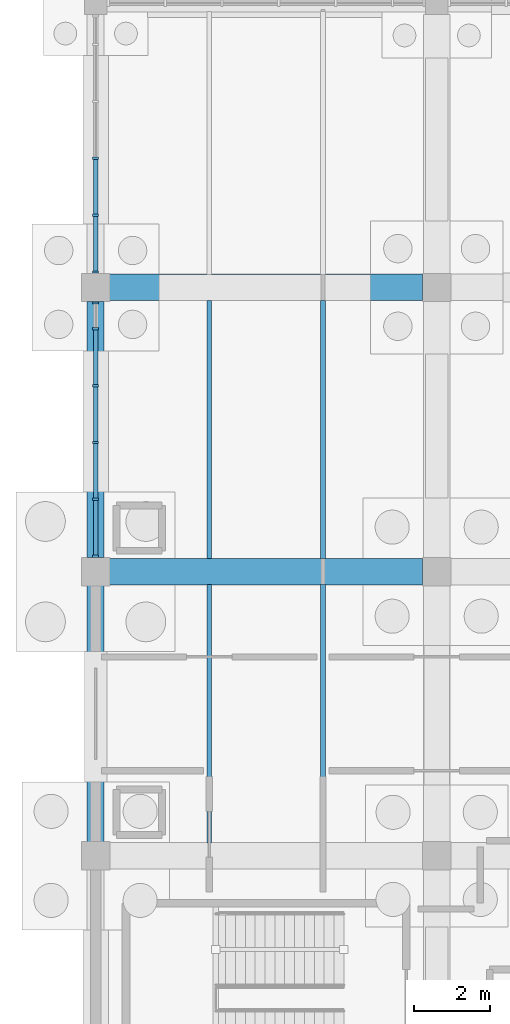
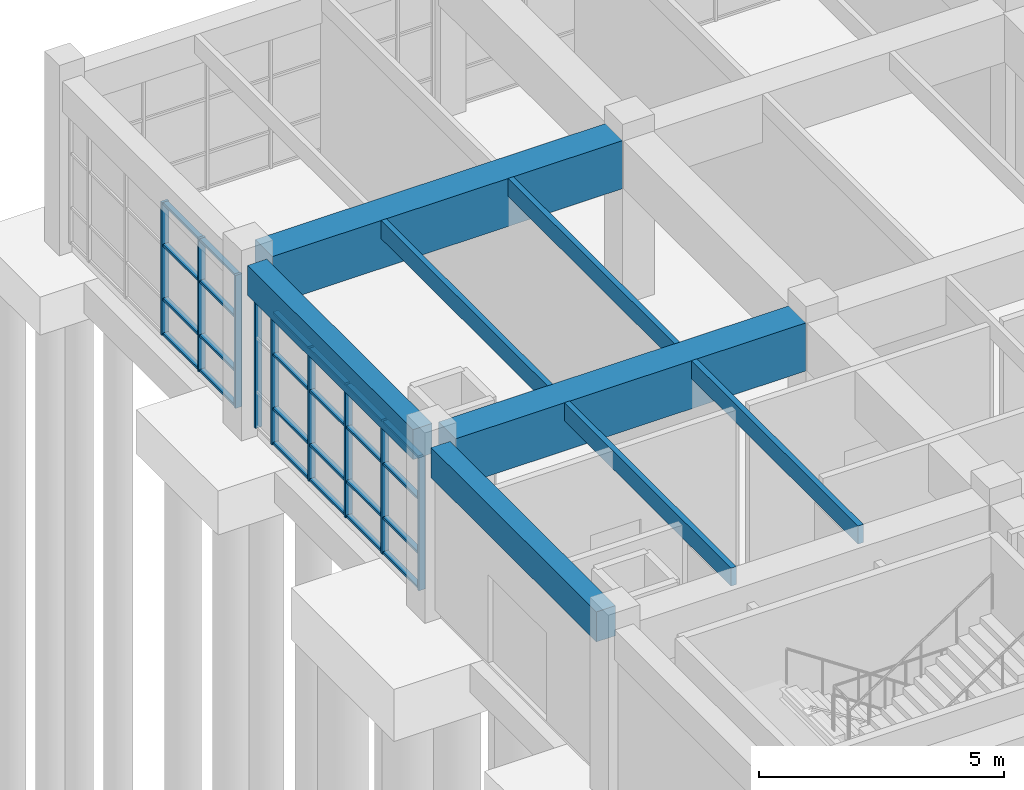
# One storey, part 30 of 93: 33 members, 8 beams, 2 elements without a shape of their own.
"""IFC4 building model written with IfcOpenShell, lengths in metres."""

from ifc_helpers import new_model, si_unit, direction, frame, origin, origin_2d, place, context, subcontext, project, spatial, rectangle, extrude, material, layer, layer_set, material_profile, profile_set, type_object, element, aggregate, save


model = new_model("IFC4")

# Units and contexts
model_context = context("Model", 3, precision=1e-05, world=origin(), true_north=direction((0.0, 1.0)))
body_context = subcontext(model_context, "Body", "Model", "MODEL_VIEW")
ifc_project = project(units=[si_unit("LENGTHUNIT", "METRE"), si_unit("AREAUNIT", "SQUARE_METRE"), si_unit("VOLUMEUNIT", "CUBIC_METRE"), si_unit("PLANEANGLEUNIT", "RADIAN"), si_unit("MASSUNIT", "GRAM", prefix="KILO")], contexts=[model_context])

# Site, building, storey
site_placement = place(None, origin())
site = spatial("IfcSite", under=ifc_project, at=site_placement, CompositionType="ELEMENT")
building_placement = place(site_placement, origin())
building = spatial("IfcBuilding", under=site, at=building_placement, Name="Marnridge Secondary College", CompositionType="ELEMENT")
storey_placement = place(building_placement, origin())
storey = spatial("IfcBuildingStorey", under=building, at=storey_placement, Name="L00", CompositionType="ELEMENT", Elevation=0.0)

# Beams
ifc_material_1 = material(Name="Engineered timber LVL E13.2", Category="wood")
ifc_material_profile_1 = material_profile(ifc_material_1, rectangle(XDim=0.1259765625, YDim=0.449951171875, at=origin_2d()), Name="LVL 126x450")
ifc_profile_set_1 = profile_set([ifc_material_profile_1], Name="Engineered timber LVL E13.2")
beam_type_1 = type_object("IfcBeamType", Name="BM-LVL450-INT", PredefinedType="JOIST", material=ifc_profile_set_1)
for number, where, z_axis, x_axis, name in (
    (1, (57.0, 60.343994140625, 3.85498046875), (0.0, 1.0, 0.0), (-1.0, 0.0, 0.0), "Beam BJ-L00-0097"),
    (2, (60.0, 60.343994140625, 3.85498046875), (0.0, 1.0, 0.0), (-1.0, 0.0, 0.0), "Beam BJ-L00-0098"),
    (3, (57.0, 67.843994140625, 3.85498046875), (0.0, 1.0, 0.0), (-1.0, 0.0, 0.0), "Beam BJ-L00-0099"),
    (4, (60.0, 67.843994140625, 3.85498046875), (0.0, 1.0, 0.0), (-1.0, 0.0, 0.0), "Beam BJ-L00-0100"),
):
    element("IfcBeam", number, at=place(storey_placement, frame(where, z_axis=z_axis, x_axis=x_axis)), inside=storey, type_object=beam_type_1, Name=name, PredefinedType="JOIST", context=body_context, shape_type="SweptSolid", body=[
        extrude(rectangle(XDim=0.1259765625, YDim=0.449951171875, at=origin_2d()), origin(), (0.0, 0.0, 1.0), 6.81201171875),
    ])
ifc_material_2 = material(Name="Concrete C40/50 (AS 3600 N40, 40 MPa)", Category="concrete")
ifc_material_profile_2 = material_profile(ifc_material_2, rectangle(XDim=0.449951171875, YDim=0.75, at=origin_2d()), Name="RC 450x750")
ifc_profile_set_2 = profile_set([ifc_material_profile_2], Name="Concrete C40/50 (AS 3600 N40, 40 MPa)")
beam_type_2 = type_object("IfcBeamType", Name="BM-RC4575-EXT", PredefinedType="SPANDREL", material=ifc_profile_set_2)
for number, where, z_axis, x_axis, name in (
    (5, (54.0, 60.368896484375, 3.705078125), (0.0, 1.0, 0.0), (-1.0, 0.0, 0.0), "Beam BS-L00-0046"),
    (6, (54.0, 67.868896484375, 3.705078125), (0.0, 1.0, 0.0), (-1.0, 0.0, 0.0), "Beam BS-L00-0049"),
):
    element("IfcBeam", number, at=place(storey_placement, frame(where, z_axis=z_axis, x_axis=x_axis)), inside=storey, type_object=beam_type_2, Name=name, PredefinedType="SPANDREL", context=body_context, shape_type="SweptSolid", body=[
        extrude(rectangle(XDim=0.449951171875, YDim=0.75, at=origin_2d()), origin(), (0.0, 0.0, 1.0), 6.76220703125),
    ])
ifc_material_3 = material(Name="Concrete C50/60 (AS 3600 N50, 50 MPa)", Category="concrete")
ifc_material_profile_3 = material_profile(ifc_material_3, rectangle(XDim=0.699951171875, YDim=1.199951171875, at=origin_2d()), Name="RC 700x1200")
ifc_profile_set_3 = profile_set([ifc_material_profile_3], Name="Concrete C50/60 (AS 3600 N50, 50 MPa)")
beam_type_3 = type_object("IfcBeamType", Name="BM-RC7012-INT", PredefinedType="BEAM", material=ifc_profile_set_3)
for number, where, z_axis, x_axis, name in (
    (7, (54.368896484375, 67.5, 3.47998046875), (1.0, 0.0, 0.0), (0.0, 1.0, 0.0), "Beam B-L00-0045"),
    (8, (54.368896484375, 75.0, 3.47998046875), (1.0, 0.0, 0.0), (0.0, 1.0, 0.0), "Beam B-L00-0048"),
):
    element("IfcBeam", number, at=place(storey_placement, frame(where, z_axis=z_axis, x_axis=x_axis)), inside=storey, type_object=beam_type_3, Name=name, PredefinedType="BEAM", context=body_context, shape_type="SweptSolid", body=[
        extrude(rectangle(XDim=0.699951171875, YDim=1.199951171875, at=origin_2d()), origin(), (0.0, 0.0, 1.0), 8.26220703125),
    ])

# Curtain wall, members
ifc_material_4 = material(Name="Thermally broken aluminium and low-E glazing", Category="aluminium")
ifc_layer = layer(ifc_material_4, 0.159912109375)
ifc_layer_set = layer_set([ifc_layer], Name="CW-MOD-1500")
curtain_wall_type = type_object("IfcCurtainWallType", Name="CW-MOD-1500", PredefinedType="NOTDEFINED", material=ifc_layer_set)
curtain_wall_1_placement = place(storey_placement, origin())
curtain_wall_1 = element("IfcCurtainWall", 9, at=curtain_wall_1_placement, inside=storey, type_object=curtain_wall_type, Name="Unitised curtain wall CW-L00-007", PredefinedType="NOTDEFINED")
ifc_material_5 = material(Name="Anodised aluminium 6063-T6", Category="aluminium")
ifc_material_profile_4 = material_profile(ifc_material_5, rectangle(XDim=0.06005859375, YDim=0.159912109375, at=origin_2d()), Name="ALU 60x160")
ifc_profile_set_4 = profile_set([ifc_material_profile_4], Name="Anodised aluminium 6063-T6")
member_type_1 = type_object("IfcMemberType", Name="CWM-ALU160", PredefinedType="MULLION", material=ifc_profile_set_4)
member_1_placement = place(storey_placement, frame((54.0, 67.908935546875, 0.0), z_axis=(0.0, 0.0, 1.0), x_axis=(0.0, 1.0, 0.0)))
member_1 = element("IfcMember", 10, at=member_1_placement, type_object=member_type_1, Name="CW-L00-007 mullion 1", PredefinedType="MULLION", context=body_context, shape_type="SweptSolid", body=[
    extrude(rectangle(XDim=0.06005859375, YDim=0.159912109375, at=origin_2d()), origin(), (0.0, 0.0, 1.0), 3.322021484375),
])
member_2_placement = place(storey_placement, frame((54.0, 69.408935546875, 0.0), z_axis=(0.0, 0.0, 1.0), x_axis=(0.0, 1.0, 0.0)))
member_2 = element("IfcMember", 11, at=member_2_placement, type_object=member_type_1, Name="CW-L00-007 mullion 2", PredefinedType="MULLION", context=body_context, shape_type="SweptSolid", body=[
    extrude(rectangle(XDim=0.06005859375, YDim=0.159912109375, at=origin_2d()), origin(), (0.0, 0.0, 1.0), 3.322021484375),
])
member_3_placement = place(storey_placement, frame((54.0, 70.908935546875, 0.0), z_axis=(0.0, 0.0, 1.0), x_axis=(0.0, 1.0, 0.0)))
member_3 = element("IfcMember", 12, at=member_3_placement, type_object=member_type_1, Name="CW-L00-007 mullion 3", PredefinedType="MULLION", context=body_context, shape_type="SweptSolid", body=[
    extrude(rectangle(XDim=0.06005859375, YDim=0.159912109375, at=origin_2d()), origin(), (0.0, 0.0, 1.0), 3.322021484375),
])
member_4_placement = place(storey_placement, frame((54.0, 72.408935546875, 0.0), z_axis=(0.0, 0.0, 1.0), x_axis=(0.0, 1.0, 0.0)))
member_4 = element("IfcMember", 13, at=member_4_placement, type_object=member_type_1, Name="CW-L00-007 mullion 4", PredefinedType="MULLION", context=body_context, shape_type="SweptSolid", body=[
    extrude(rectangle(XDim=0.06005859375, YDim=0.159912109375, at=origin_2d()), origin(), (0.0, 0.0, 1.0), 3.322021484375),
])
member_5_placement = place(storey_placement, frame((54.0, 73.908935546875, 0.0), z_axis=(0.0, 0.0, 1.0), x_axis=(0.0, 1.0, 0.0)))
member_5 = element("IfcMember", 14, at=member_5_placement, type_object=member_type_1, Name="CW-L00-007 mullion 5", PredefinedType="MULLION", context=body_context, shape_type="SweptSolid", body=[
    extrude(rectangle(XDim=0.06005859375, YDim=0.159912109375, at=origin_2d()), origin(), (0.0, 0.0, 1.0), 3.322021484375),
])
member_6_placement = place(storey_placement, frame((54.0, 74.591064453125, 0.0), z_axis=(0.0, 0.0, 1.0), x_axis=(0.0, 1.0, 0.0)))
member_6 = element("IfcMember", 15, at=member_6_placement, type_object=member_type_1, Name="CW-L00-007 mullion 6", PredefinedType="MULLION", context=body_context, shape_type="SweptSolid", body=[
    extrude(rectangle(XDim=0.06005859375, YDim=0.159912109375, at=origin_2d()), origin(), (0.0, 0.0, 1.0), 3.322021484375),
])

curtain_wall_2_placement = place(storey_placement, origin())
curtain_wall_2 = element("IfcCurtainWall", 16, at=curtain_wall_2_placement, inside=storey, type_object=curtain_wall_type, Name="Unitised curtain wall CW-L00-008", PredefinedType="NOTDEFINED")
member_7_placement = place(storey_placement, frame((54.0, 75.408935546875, 0.0), z_axis=(0.0, 0.0, 1.0), x_axis=(0.0, 1.0, 0.0)))
member_7 = element("IfcMember", 17, at=member_7_placement, type_object=member_type_1, Name="CW-L00-008 mullion 1", PredefinedType="MULLION", context=body_context, shape_type="SweptSolid", body=[
    extrude(rectangle(XDim=0.06005859375, YDim=0.159912109375, at=origin_2d()), origin(), (0.0, 0.0, 1.0), 3.322021484375),
])
member_8_placement = place(storey_placement, frame((54.0, 76.908935546875, 0.0), z_axis=(0.0, 0.0, 1.0), x_axis=(0.0, 1.0, 0.0)))
member_8 = element("IfcMember", 18, at=member_8_placement, type_object=member_type_1, Name="CW-L00-008 mullion 2", PredefinedType="MULLION", context=body_context, shape_type="SweptSolid", body=[
    extrude(rectangle(XDim=0.06005859375, YDim=0.159912109375, at=origin_2d()), origin(), (0.0, 0.0, 1.0), 3.322021484375),
])
member_9_placement = place(storey_placement, frame((54.0, 78.408935546875, 0.0), z_axis=(0.0, 0.0, 1.0), x_axis=(0.0, 1.0, 0.0)))
member_9 = element("IfcMember", 19, at=member_9_placement, type_object=member_type_1, Name="CW-L00-008 mullion 3", PredefinedType="MULLION", context=body_context, shape_type="SweptSolid", body=[
    extrude(rectangle(XDim=0.06005859375, YDim=0.159912109375, at=origin_2d()), origin(), (0.0, 0.0, 1.0), 3.322021484375),
])

# Member
ifc_material_6 = material(Name="Anodised aluminium 6063-T6", Category="aluminium")
ifc_material_profile_5 = material_profile(ifc_material_6, rectangle(XDim=0.06005859375, YDim=0.1201171875, at=origin_2d()), Name="ALU 60x120")
ifc_profile_set_5 = profile_set([ifc_material_profile_5], Name="Anodised aluminium 6063-T6")
member_type_2 = type_object("IfcMemberType", Name="CWT-ALU120", PredefinedType="USERDEFINED", material=ifc_profile_set_5)
member_10_placement = place(storey_placement, frame((54.0, 67.93896484375, 0.030029296875), z_axis=(0.0, 1.0, 0.0), x_axis=(0.0, 0.0, 1.0)))
member_10 = element("IfcMember", 20, at=member_10_placement, type_object=member_type_2, Name="CW-L00-007 transom 1.1", ObjectType="TRANSOM", PredefinedType="USERDEFINED", context=body_context, shape_type="SweptSolid", body=[
    extrude(rectangle(XDim=0.06005859375, YDim=0.1201171875, at=origin_2d()), origin(), (0.0, 0.0, 1.0), 1.43994140625),
])

member_11_placement = place(storey_placement, frame((54.0, 67.93896484375, 0.89990234375), z_axis=(0.0, 1.0, 0.0), x_axis=(0.0, 0.0, 1.0)))
member_11 = element("IfcMember", 21, at=member_11_placement, type_object=member_type_2, Name="CW-L00-007 transom 1.2", ObjectType="TRANSOM", PredefinedType="USERDEFINED", context=body_context, shape_type="SweptSolid", body=[
    extrude(rectangle(XDim=0.06005859375, YDim=0.1201171875, at=origin_2d()), origin(), (0.0, 0.0, 1.0), 1.43994140625),
])

member_12_placement = place(storey_placement, frame((54.0, 67.93896484375, 2.25), z_axis=(0.0, 1.0, 0.0), x_axis=(0.0, 0.0, 1.0)))
member_12 = element("IfcMember", 22, at=member_12_placement, type_object=member_type_2, Name="CW-L00-007 transom 1.3", ObjectType="TRANSOM", PredefinedType="USERDEFINED", context=body_context, shape_type="SweptSolid", body=[
    extrude(rectangle(XDim=0.06005859375, YDim=0.1201171875, at=origin_2d()), origin(), (0.0, 0.0, 1.0), 1.43994140625),
])

member_13_placement = place(storey_placement, frame((54.0, 67.93896484375, 3.2919921875), z_axis=(0.0, 1.0, 0.0), x_axis=(0.0, 0.0, 1.0)))
member_13 = element("IfcMember", 23, at=member_13_placement, type_object=member_type_2, Name="CW-L00-007 transom 1.4", ObjectType="TRANSOM", PredefinedType="USERDEFINED", context=body_context, shape_type="SweptSolid", body=[
    extrude(rectangle(XDim=0.06005859375, YDim=0.1201171875, at=origin_2d()), origin(), (0.0, 0.0, 1.0), 1.43994140625),
])

member_14_placement = place(storey_placement, frame((54.0, 69.43896484375, 0.030029296875), z_axis=(0.0, 1.0, 0.0), x_axis=(0.0, 0.0, 1.0)))
member_14 = element("IfcMember", 24, at=member_14_placement, type_object=member_type_2, Name="CW-L00-007 transom 2.1", ObjectType="TRANSOM", PredefinedType="USERDEFINED", context=body_context, shape_type="SweptSolid", body=[
    extrude(rectangle(XDim=0.06005859375, YDim=0.1201171875, at=origin_2d()), origin(), (0.0, 0.0, 1.0), 1.43994140625),
])

member_15_placement = place(storey_placement, frame((54.0, 69.43896484375, 0.89990234375), z_axis=(0.0, 1.0, 0.0), x_axis=(0.0, 0.0, 1.0)))
member_15 = element("IfcMember", 25, at=member_15_placement, type_object=member_type_2, Name="CW-L00-007 transom 2.2", ObjectType="TRANSOM", PredefinedType="USERDEFINED", context=body_context, shape_type="SweptSolid", body=[
    extrude(rectangle(XDim=0.06005859375, YDim=0.1201171875, at=origin_2d()), origin(), (0.0, 0.0, 1.0), 1.43994140625),
])

member_16_placement = place(storey_placement, frame((54.0, 69.43896484375, 2.25), z_axis=(0.0, 1.0, 0.0), x_axis=(0.0, 0.0, 1.0)))
member_16 = element("IfcMember", 26, at=member_16_placement, type_object=member_type_2, Name="CW-L00-007 transom 2.3", ObjectType="TRANSOM", PredefinedType="USERDEFINED", context=body_context, shape_type="SweptSolid", body=[
    extrude(rectangle(XDim=0.06005859375, YDim=0.1201171875, at=origin_2d()), origin(), (0.0, 0.0, 1.0), 1.43994140625),
])

member_17_placement = place(storey_placement, frame((54.0, 69.43896484375, 3.2919921875), z_axis=(0.0, 1.0, 0.0), x_axis=(0.0, 0.0, 1.0)))
member_17 = element("IfcMember", 27, at=member_17_placement, type_object=member_type_2, Name="CW-L00-007 transom 2.4", ObjectType="TRANSOM", PredefinedType="USERDEFINED", context=body_context, shape_type="SweptSolid", body=[
    extrude(rectangle(XDim=0.06005859375, YDim=0.1201171875, at=origin_2d()), origin(), (0.0, 0.0, 1.0), 1.43994140625),
])

member_18_placement = place(storey_placement, frame((54.0, 70.93896484375, 0.030029296875), z_axis=(0.0, 1.0, 0.0), x_axis=(0.0, 0.0, 1.0)))
member_18 = element("IfcMember", 28, at=member_18_placement, type_object=member_type_2, Name="CW-L00-007 transom 3.1", ObjectType="TRANSOM", PredefinedType="USERDEFINED", context=body_context, shape_type="SweptSolid", body=[
    extrude(rectangle(XDim=0.06005859375, YDim=0.1201171875, at=origin_2d()), origin(), (0.0, 0.0, 1.0), 1.43994140625),
])

member_19_placement = place(storey_placement, frame((54.0, 70.93896484375, 0.89990234375), z_axis=(0.0, 1.0, 0.0), x_axis=(0.0, 0.0, 1.0)))
member_19 = element("IfcMember", 29, at=member_19_placement, type_object=member_type_2, Name="CW-L00-007 transom 3.2", ObjectType="TRANSOM", PredefinedType="USERDEFINED", context=body_context, shape_type="SweptSolid", body=[
    extrude(rectangle(XDim=0.06005859375, YDim=0.1201171875, at=origin_2d()), origin(), (0.0, 0.0, 1.0), 1.43994140625),
])

member_20_placement = place(storey_placement, frame((54.0, 70.93896484375, 2.25), z_axis=(0.0, 1.0, 0.0), x_axis=(0.0, 0.0, 1.0)))
member_20 = element("IfcMember", 30, at=member_20_placement, type_object=member_type_2, Name="CW-L00-007 transom 3.3", ObjectType="TRANSOM", PredefinedType="USERDEFINED", context=body_context, shape_type="SweptSolid", body=[
    extrude(rectangle(XDim=0.06005859375, YDim=0.1201171875, at=origin_2d()), origin(), (0.0, 0.0, 1.0), 1.43994140625),
])

member_21_placement = place(storey_placement, frame((54.0, 70.93896484375, 3.2919921875), z_axis=(0.0, 1.0, 0.0), x_axis=(0.0, 0.0, 1.0)))
member_21 = element("IfcMember", 31, at=member_21_placement, type_object=member_type_2, Name="CW-L00-007 transom 3.4", ObjectType="TRANSOM", PredefinedType="USERDEFINED", context=body_context, shape_type="SweptSolid", body=[
    extrude(rectangle(XDim=0.06005859375, YDim=0.1201171875, at=origin_2d()), origin(), (0.0, 0.0, 1.0), 1.43994140625),
])

member_22_placement = place(storey_placement, frame((54.0, 72.43896484375, 0.030029296875), z_axis=(0.0, 1.0, 0.0), x_axis=(0.0, 0.0, 1.0)))
member_22 = element("IfcMember", 32, at=member_22_placement, type_object=member_type_2, Name="CW-L00-007 transom 4.1", ObjectType="TRANSOM", PredefinedType="USERDEFINED", context=body_context, shape_type="SweptSolid", body=[
    extrude(rectangle(XDim=0.06005859375, YDim=0.1201171875, at=origin_2d()), origin(), (0.0, 0.0, 1.0), 1.43994140625),
])

member_23_placement = place(storey_placement, frame((54.0, 72.43896484375, 0.89990234375), z_axis=(0.0, 1.0, 0.0), x_axis=(0.0, 0.0, 1.0)))
member_23 = element("IfcMember", 33, at=member_23_placement, type_object=member_type_2, Name="CW-L00-007 transom 4.2", ObjectType="TRANSOM", PredefinedType="USERDEFINED", context=body_context, shape_type="SweptSolid", body=[
    extrude(rectangle(XDim=0.06005859375, YDim=0.1201171875, at=origin_2d()), origin(), (0.0, 0.0, 1.0), 1.43994140625),
])

member_24_placement = place(storey_placement, frame((54.0, 72.43896484375, 2.25), z_axis=(0.0, 1.0, 0.0), x_axis=(0.0, 0.0, 1.0)))
member_24 = element("IfcMember", 34, at=member_24_placement, type_object=member_type_2, Name="CW-L00-007 transom 4.3", ObjectType="TRANSOM", PredefinedType="USERDEFINED", context=body_context, shape_type="SweptSolid", body=[
    extrude(rectangle(XDim=0.06005859375, YDim=0.1201171875, at=origin_2d()), origin(), (0.0, 0.0, 1.0), 1.43994140625),
])

member_25_placement = place(storey_placement, frame((54.0, 72.43896484375, 3.2919921875), z_axis=(0.0, 1.0, 0.0), x_axis=(0.0, 0.0, 1.0)))
member_25 = element("IfcMember", 35, at=member_25_placement, type_object=member_type_2, Name="CW-L00-007 transom 4.4", ObjectType="TRANSOM", PredefinedType="USERDEFINED", context=body_context, shape_type="SweptSolid", body=[
    extrude(rectangle(XDim=0.06005859375, YDim=0.1201171875, at=origin_2d()), origin(), (0.0, 0.0, 1.0), 1.43994140625),
])

aggregate(curtain_wall_1, [member_1, member_2, member_3, member_4, member_5, member_6, member_10, member_11, member_12, member_13, member_14, member_15, member_16, member_17, member_18, member_19, member_20, member_21, member_22, member_23, member_24, member_25])

member_26_placement = place(storey_placement, frame((54.0, 75.43896484375, 0.030029296875), z_axis=(0.0, 1.0, 0.0), x_axis=(0.0, 0.0, 1.0)))
member_26 = element("IfcMember", 36, at=member_26_placement, type_object=member_type_2, Name="CW-L00-008 transom 1.1", ObjectType="TRANSOM", PredefinedType="USERDEFINED", context=body_context, shape_type="SweptSolid", body=[
    extrude(rectangle(XDim=0.06005859375, YDim=0.1201171875, at=origin_2d()), origin(), (0.0, 0.0, 1.0), 1.43994140625),
])

member_27_placement = place(storey_placement, frame((54.0, 75.43896484375, 0.89990234375), z_axis=(0.0, 1.0, 0.0), x_axis=(0.0, 0.0, 1.0)))
member_27 = element("IfcMember", 37, at=member_27_placement, type_object=member_type_2, Name="CW-L00-008 transom 1.2", ObjectType="TRANSOM", PredefinedType="USERDEFINED", context=body_context, shape_type="SweptSolid", body=[
    extrude(rectangle(XDim=0.06005859375, YDim=0.1201171875, at=origin_2d()), origin(), (0.0, 0.0, 1.0), 1.43994140625),
])

member_28_placement = place(storey_placement, frame((54.0, 75.43896484375, 2.25), z_axis=(0.0, 1.0, 0.0), x_axis=(0.0, 0.0, 1.0)))
member_28 = element("IfcMember", 38, at=member_28_placement, type_object=member_type_2, Name="CW-L00-008 transom 1.3", ObjectType="TRANSOM", PredefinedType="USERDEFINED", context=body_context, shape_type="SweptSolid", body=[
    extrude(rectangle(XDim=0.06005859375, YDim=0.1201171875, at=origin_2d()), origin(), (0.0, 0.0, 1.0), 1.43994140625),
])

member_29_placement = place(storey_placement, frame((54.0, 75.43896484375, 3.2919921875), z_axis=(0.0, 1.0, 0.0), x_axis=(0.0, 0.0, 1.0)))
member_29 = element("IfcMember", 39, at=member_29_placement, type_object=member_type_2, Name="CW-L00-008 transom 1.4", ObjectType="TRANSOM", PredefinedType="USERDEFINED", context=body_context, shape_type="SweptSolid", body=[
    extrude(rectangle(XDim=0.06005859375, YDim=0.1201171875, at=origin_2d()), origin(), (0.0, 0.0, 1.0), 1.43994140625),
])

member_30_placement = place(storey_placement, frame((54.0, 76.93896484375, 0.030029296875), z_axis=(0.0, 1.0, 0.0), x_axis=(0.0, 0.0, 1.0)))
member_30 = element("IfcMember", 40, at=member_30_placement, type_object=member_type_2, Name="CW-L00-008 transom 2.1", ObjectType="TRANSOM", PredefinedType="USERDEFINED", context=body_context, shape_type="SweptSolid", body=[
    extrude(rectangle(XDim=0.06005859375, YDim=0.1201171875, at=origin_2d()), origin(), (0.0, 0.0, 1.0), 1.43994140625),
])

member_31_placement = place(storey_placement, frame((54.0, 76.93896484375, 0.89990234375), z_axis=(0.0, 1.0, 0.0), x_axis=(0.0, 0.0, 1.0)))
member_31 = element("IfcMember", 41, at=member_31_placement, type_object=member_type_2, Name="CW-L00-008 transom 2.2", ObjectType="TRANSOM", PredefinedType="USERDEFINED", context=body_context, shape_type="SweptSolid", body=[
    extrude(rectangle(XDim=0.06005859375, YDim=0.1201171875, at=origin_2d()), origin(), (0.0, 0.0, 1.0), 1.43994140625),
])

member_32_placement = place(storey_placement, frame((54.0, 76.93896484375, 2.25), z_axis=(0.0, 1.0, 0.0), x_axis=(0.0, 0.0, 1.0)))
member_32 = element("IfcMember", 42, at=member_32_placement, type_object=member_type_2, Name="CW-L00-008 transom 2.3", ObjectType="TRANSOM", PredefinedType="USERDEFINED", context=body_context, shape_type="SweptSolid", body=[
    extrude(rectangle(XDim=0.06005859375, YDim=0.1201171875, at=origin_2d()), origin(), (0.0, 0.0, 1.0), 1.43994140625),
])

member_33_placement = place(storey_placement, frame((54.0, 76.93896484375, 3.2919921875), z_axis=(0.0, 1.0, 0.0), x_axis=(0.0, 0.0, 1.0)))
member_33 = element("IfcMember", 43, at=member_33_placement, type_object=member_type_2, Name="CW-L00-008 transom 2.4", ObjectType="TRANSOM", PredefinedType="USERDEFINED", context=body_context, shape_type="SweptSolid", body=[
    extrude(rectangle(XDim=0.06005859375, YDim=0.1201171875, at=origin_2d()), origin(), (0.0, 0.0, 1.0), 1.43994140625),
])

aggregate(curtain_wall_2, [member_7, member_8, member_9, member_26, member_27, member_28, member_29, member_30, member_31, member_32, member_33])

save(model, "model.ifc")
